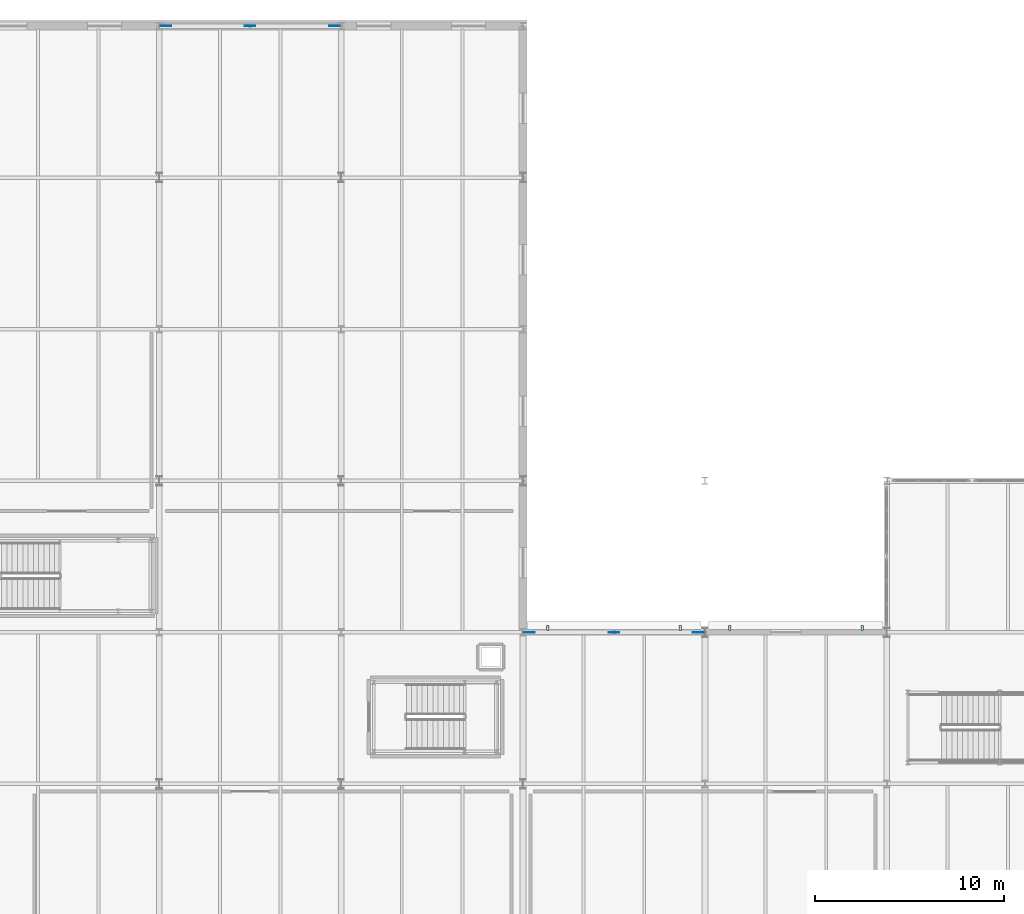
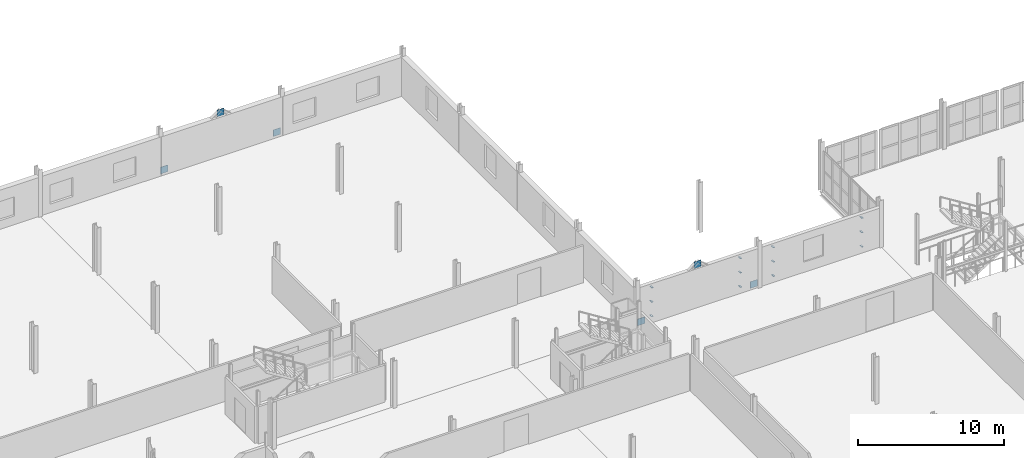
# One storey, part 56 of 78: 18 plates.
"""IFC4 building model written with IfcOpenShell, lengths in metres."""

from ifc_helpers import new_model, si_unit, direction, frame, origin, origin_2d, place, context, subcontext, project, spatial, rectangle, extrude, material, layer, layer_set, type_object, element, save


model = new_model("IFC4")

# Units and contexts
model_context = context("Model", 3, precision=1e-05, world=origin(), true_north=direction((0.0, 1.0)))
body_context = subcontext(model_context, "Body", "Model", "MODEL_VIEW")
ifc_project = project(units=[si_unit("LENGTHUNIT", "METRE"), si_unit("AREAUNIT", "SQUARE_METRE"), si_unit("VOLUMEUNIT", "CUBIC_METRE"), si_unit("PLANEANGLEUNIT", "RADIAN"), si_unit("MASSUNIT", "GRAM", prefix="KILO")], contexts=[model_context])

# Site, building, storey
site_placement = place(None, origin())
site = spatial("IfcSite", under=ifc_project, at=site_placement, CompositionType="ELEMENT")
building_placement = place(site_placement, origin())
building = spatial("IfcBuilding", under=site, at=building_placement, Name="Alderhovde Museum", CompositionType="ELEMENT")
storey_placement = place(building_placement, frame((0.0, 0.0, 4.5)))
storey = spatial("IfcBuildingStorey", under=building, at=storey_placement, Name="L01", CompositionType="ELEMENT", Elevation=4.5)

# Plates
ifc_material_1 = material(Name="Steel S355J2", Category="steel")
ifc_layer_1 = layer(ifc_material_1, 0.02001953125)
ifc_layer_set_1 = layer_set([ifc_layer_1], Name="Steel S355J2")
plate_type_1 = type_object("IfcPlateType", Name="LV-BRACKET", PredefinedType="USERDEFINED", material=ifc_layer_set_1)
for number, where, z_axis, x_axis, name in (
    (1, (58.904052734375, 80.22998046875, 0.2900390625), (0.0, 0.0, 1.0), (1.0, 0.0, 0.0), "L01 Louvre Support Bracket 52-1"),
    (2, (65.89599609375, 80.22998046875, 0.2900390625), (0.0, 0.0, 1.0), (1.0, 0.0, 0.0), "L01 Louvre Support Bracket 52-2"),
    (3, (58.904052734375, 80.22998046875, 1.489990234375), (0.0, 0.0, 1.0), (1.0, 0.0, 0.0), "L01 Louvre Support Bracket 54-1"),
    (4, (65.89599609375, 80.22998046875, 1.489990234375), (0.0, 0.0, 1.0), (1.0, 0.0, 0.0), "L01 Louvre Support Bracket 54-2"),
    (5, (58.904052734375, 80.22998046875, 2.68994140625), (0.0, 0.0, 1.0), (1.0, 0.0, 0.0), "L01 Louvre Support Bracket 56-1"),
    (6, (65.89599609375, 80.22998046875, 2.68994140625), (0.0, 0.0, 1.0), (1.0, 0.0, 0.0), "L01 Louvre Support Bracket 56-2"),
    (7, (68.50390625, 80.22998046875, 0.2900390625), (0.0, 0.0, 1.0), (1.0, 0.0, 0.0), "L01 Louvre Support Bracket 57-1"),
    (8, (75.49609375, 80.22998046875, 0.2900390625), (0.0, 0.0, 1.0), (1.0, 0.0, 0.0), "L01 Louvre Support Bracket 57-2"),
    (9, (68.50390625, 80.22998046875, 1.489990234375), (0.0, 0.0, 1.0), (1.0, 0.0, 0.0), "L01 Louvre Support Bracket 59-1"),
    (10, (75.49609375, 80.22998046875, 1.489990234375), (0.0, 0.0, 1.0), (1.0, 0.0, 0.0), "L01 Louvre Support Bracket 59-2"),
    (11, (68.50390625, 80.22998046875, 2.68994140625), (0.0, 0.0, 1.0), (1.0, 0.0, 0.0), "L01 Louvre Support Bracket 61-1"),
    (12, (75.49609375, 80.22998046875, 2.68994140625), (0.0, 0.0, 1.0), (1.0, 0.0, 0.0), "L01 Louvre Support Bracket 61-2"),
):
    element("IfcPlate", number, at=place(storey_placement, frame(where, z_axis=z_axis, x_axis=x_axis)), inside=storey, type_object=plate_type_1, Name=name, ObjectType="BRACKET PLATE", PredefinedType="USERDEFINED", context=body_context, shape_type="SweptSolid", body=[
        extrude(rectangle(XDim=0.139892578125, YDim=0.260009765625, at=origin_2d()), origin(), (0.0, 0.0, 1.0), 0.02001953125),
    ])
ifc_material_2 = material(Name="Steel S355J2", Category="steel")
ifc_layer_2 = layer(ifc_material_2, 0.02197265625)
ifc_layer_set_2 = layer_set([ifc_layer_2], Name="Steel S355J2")
plate_type_2 = type_object("IfcPlateType", Name="PLT-GUSSET-22", PredefinedType="USERDEFINED", material=ifc_layer_set_2)
for number, where, z_axis, x_axis, name in (
    (13, (57.949951171875, 80.0, 0.02001953125), (0.0, 0.0, 1.0), (1.0, 0.0, 0.0), "L01 Brace End Gusset Plate BR-V1-N-BL"),
    (14, (66.85009765625, 80.0, 0.02001953125), (0.0, 0.0, 1.0), (1.0, 0.0, 0.0), "L01 Brace End Gusset Plate BR-V1-N-BR"),
    (15, (62.39990234375, 80.0, 3.219970703125), (0.0, 0.0, 1.0), (1.0, 0.0, 0.0), "L01 Brace End Gusset Plate BR-V1-N-APX"),
    (16, (38.75, 112.0, 0.02001953125), (0.0, 0.0, 1.0), (1.0, 0.0, 0.0), "L01 Brace End Gusset Plate BR-V4-N-BL"),
    (17, (47.64990234375, 112.0, 0.02001953125), (0.0, 0.0, 1.0), (1.0, 0.0, 0.0), "L01 Brace End Gusset Plate BR-V4-N-BR"),
    (18, (43.199951171875, 112.0, 3.219970703125), (0.0, 0.0, 1.0), (1.0, 0.0, 0.0), "L01 Brace End Gusset Plate BR-V4-N-APX"),
):
    element("IfcPlate", number, at=place(storey_placement, frame(where, z_axis=z_axis, x_axis=x_axis)), inside=storey, type_object=plate_type_2, Name=name, ObjectType="GUSSET PLATE", PredefinedType="USERDEFINED", context=body_context, shape_type="SweptSolid", body=[
        extrude(rectangle(XDim=0.56005859375, YDim=0.02197265625, at=origin_2d()), origin(), (0.0, 0.0, 1.0), 0.56005859375),
    ])

save(model, "model.ifc")
